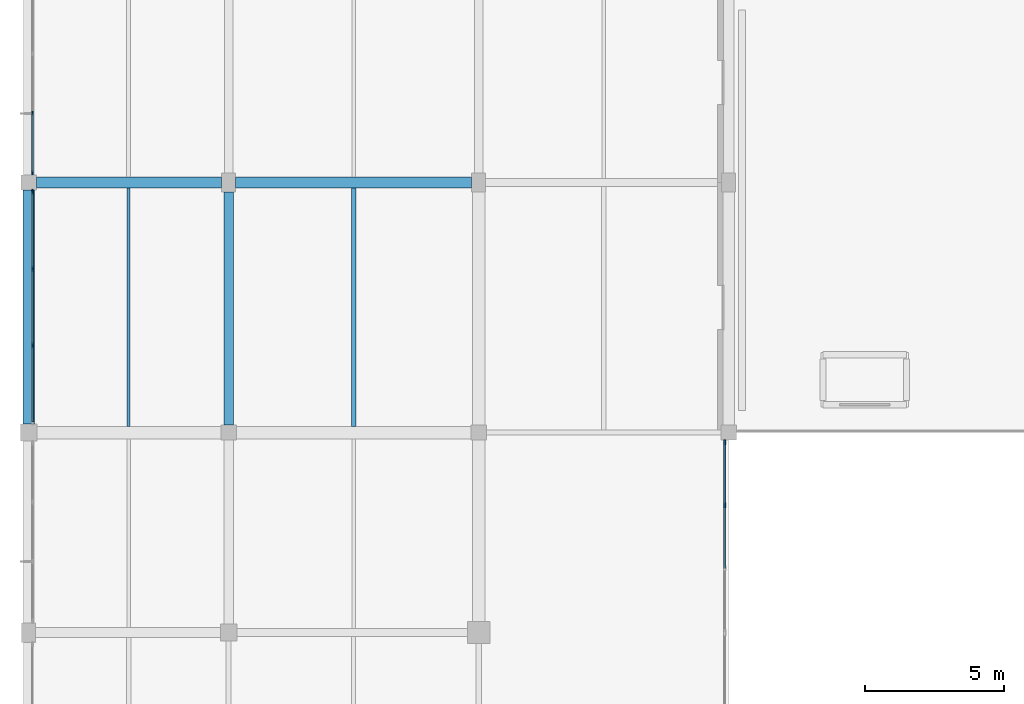
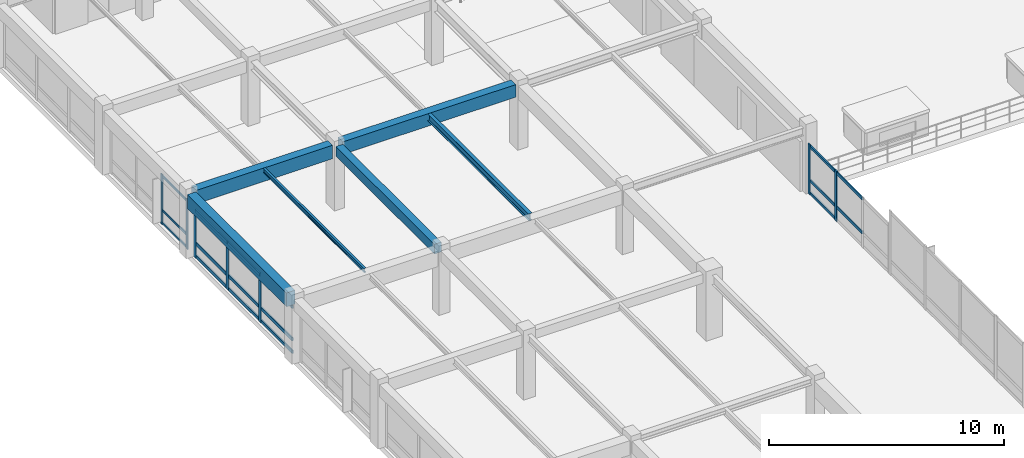
# One storey, part 11 of 74: 24 members, 6 beams, 3 elements without a shape of their own.
"""IFC4 building model written with IfcOpenShell, lengths in metres."""

import ifcopenshell
import ifcopenshell.guid

model = None  # the IFC model being written
_history = None  # IfcOwnerHistory: only IFC2X3 demands one
_inside = {}  # id of a spatial element -> (the spatial element, [elements in it])
_under = {}  # id of a project, library or spatial element -> (it, [spatial elements below it])
_declared = {}  # id of a project -> (the project, [libraries it declares])
_typed = {}  # id of a type object -> (the type object, [elements of that type])
_made_of = {}  # id of a material, layer set ... -> (it, [elements and type objects made of it])


def new_model(schema):
    """Start an empty IFC model of exactly this schema.

    Asked for "IFC4X3", IfcOpenShell would pick the latest addendum, in which some entities
    have other attributes; the version numbers below select the first issue.
    IFC2X3 requires an IfcOwnerHistory on every rooted entity: one is made here for all.
    """
    global model, _history
    if schema == "IFC4X3":
        model = ifcopenshell.file(schema_version=(4, 3, 0, 0))
    else:
        model = ifcopenshell.file(schema=schema)
    _inside.clear()
    _under.clear()
    _declared.clear()
    _typed.clear()
    _made_of.clear()
    _history = None
    if model.schema == "IFC2X3":
        org = make("IfcOrganization", Name="unknown")
        user = make(
            "IfcPersonAndOrganization",
            ThePerson=make("IfcPerson", FamilyName="unknown"),
            TheOrganization=org,
        )
        app = make(
            "IfcApplication",
            ApplicationDeveloper=org,
            Version="unknown",
            ApplicationFullName="unknown",
            ApplicationIdentifier="unknown",
        )
        _history = make(
            "IfcOwnerHistory",
            OwningUser=user,
            OwningApplication=app,
            ChangeAction="ADDED",
            CreationDate=0,
        )
    return model


def make(cls, **values):
    """One entity of the class cls with the attributes given. An attribute that is None is left unset."""
    return model.create_entity(
        cls, **{name: value for name, value in values.items() if value is not None}
    )


def rooted(cls, **values):
    """An entity with a GlobalId (a new one), such as an element, a storey or a relation."""
    return make(cls, GlobalId=ifcopenshell.guid.new(), OwnerHistory=_history, **values)


def si_unit(unit_type, name, prefix=None):
    """IfcSIUnit, for example si_unit("LENGTHUNIT", "METRE", prefix="MILLI")."""
    return make("IfcSIUnit", UnitType=unit_type, Prefix=prefix, Name=name)


def assignment(units):
    """IfcUnitAssignment: the units of a project."""
    return None if units is None else make("IfcUnitAssignment", Units=units)


def point(xyz):
    """IfcCartesianPoint."""
    return None if xyz is None else make("IfcCartesianPoint", Coordinates=xyz)


def direction(xyz):
    """IfcDirection."""
    return None if xyz is None else make("IfcDirection", DirectionRatios=xyz)


def frame(location, z_axis=None, x_axis=None):
    """IfcAxis2Placement3D, a coordinate frame: its origin and axes. An axis left out is left unset."""
    return make(
        "IfcAxis2Placement3D",
        Location=point(location),
        Axis=direction(z_axis),
        RefDirection=direction(x_axis),
    )


def frame_2d(location, x_axis=None):
    """IfcAxis2Placement2D, a coordinate frame in the plane: its origin and x axis."""
    return make(
        "IfcAxis2Placement2D", Location=point(location), RefDirection=direction(x_axis)
    )


def origin():
    """The frame at (0, 0, 0) with its axes left unset."""
    return frame((0.0, 0.0, 0.0))


def origin_2d():
    """The frame at (0, 0) in the plane with its x axis left unset."""
    return frame_2d((0.0, 0.0))


def place(relative_to, where):
    """IfcLocalPlacement: puts the frame where relative to a parent placement (None: the world)."""
    return make(
        "IfcLocalPlacement", PlacementRelTo=relative_to, RelativePlacement=where
    )


def context(
    kind, dimensions, precision=None, world=None, true_north=None, identifier=None
):
    """IfcGeometricRepresentationContext, for example the 3D "Model" context."""
    return make(
        "IfcGeometricRepresentationContext",
        ContextIdentifier=identifier,
        ContextType=kind,
        CoordinateSpaceDimension=dimensions,
        Precision=precision,
        WorldCoordinateSystem=world,
        TrueNorth=true_north,
    )


def subcontext(parent, identifier, kind, view, scale=None):
    """IfcGeometricRepresentationSubContext, for example "Body" below "Model"."""
    return make(
        "IfcGeometricRepresentationSubContext",
        ContextIdentifier=identifier,
        ContextType=kind,
        ParentContext=parent,
        TargetScale=scale,
        TargetView=view,
    )


def project(units=None, contexts=None):
    """IfcProject with its units and contexts."""
    return rooted(
        "IfcProject",
        Name="project",
        RepresentationContexts=contexts,
        UnitsInContext=assignment(units),
    )


def spatial(cls, under=None, at=None, **own):
    """A site, building, storey or space (cls), placed at a placement, below another one or the project."""
    s = rooted(cls, ObjectPlacement=at, **own)
    if under is not None:
        _under.setdefault(under.id(), (under, []))[1].append(s)
    return s


def profile(cls, at=None, kind="AREA", **sizes):
    """A parametric profile (cls). Its sizes go by their IFC names, for example OverallWidth=200.0."""
    return make(cls, ProfileType=kind, Position=at, **sizes)


def rectangle(**sizes):
    """IfcRectangleProfileDef."""
    return profile("IfcRectangleProfileDef", **sizes)


def i_section(**sizes):
    """IfcIShapeProfileDef."""
    return profile("IfcIShapeProfileDef", **sizes)


def extrude(swept, where, along, depth):
    """IfcExtrudedAreaSolid: the profile swept, set in the frame where, extruded along a direction by depth."""
    return make(
        "IfcExtrudedAreaSolid",
        SweptArea=swept,
        Position=where,
        ExtrudedDirection=direction(along),
        Depth=depth,
    )


def shape(context_of_items, identifier, shape_type, items):
    """IfcShapeRepresentation: the items that make up one representation, for example the "Body"."""
    return make(
        "IfcShapeRepresentation",
        ContextOfItems=context_of_items,
        RepresentationIdentifier=identifier,
        RepresentationType=shape_type,
        Items=items,
    )


def material(Name=None, Category=None):
    """IfcMaterial."""
    return make("IfcMaterial", Name=Name, Category=Category)


def material_profile(
    of_material, cross_section, Name=None, Category=None, Priority=None
):
    """IfcMaterialProfile: a cross section and its material."""
    return make(
        "IfcMaterialProfile",
        Name=Name,
        Material=of_material,
        Profile=cross_section,
        Priority=Priority,
        Category=Category,
    )


def profile_set(profiles, Name=None, composite=None):
    """IfcMaterialProfileSet."""
    return make(
        "IfcMaterialProfileSet",
        Name=Name,
        MaterialProfiles=profiles,
        CompositeProfile=composite,
    )


def made_of(thing, what):
    """Note that an element or type object is made of a material, layer set ...; save() writes the relation."""
    if what is not None:
        _made_of.setdefault(what.id(), (what, []))[1].append(thing)
    return thing


def type_object(cls, material=None, **own):
    """A type object (cls), such as IfcWallType, which elements share."""
    return made_of(rooted(cls, **own), material)


def element(
    cls,
    number,
    at=None,
    inside=None,
    cuts=None,
    type_object=None,
    material=None,
    context=None,
    identifier="Body",
    shape_type=None,
    held_by="IfcProductDefinitionShape",
    body=None,
    shapes=None,
    **own,
):
    """One element of the class cls, such as IfcWall. Its Tag is "e" and its number.

    at: its placement. inside: the storey or other place that contains it. cuts: it is an
    opening in that element (IfcRelVoidsElement). A single representation is given by context,
    identifier, shape_type and body (its items); several are given by shapes. held_by: the class
    of the entity that holds the representations. save() writes the other relations.
    """
    e = rooted(cls, Tag="e%d" % number, ObjectPlacement=at, **own)
    if body is not None:
        shapes = [shape(context, identifier, shape_type, body)]
    if shapes is not None:
        e.Representation = make(held_by, Representations=shapes)
    if inside is not None:
        _inside.setdefault(inside.id(), (inside, []))[1].append(e)
    if cuts is not None:
        rooted(
            "IfcRelVoidsElement", RelatingBuildingElement=cuts, RelatedOpeningElement=e
        )
    if type_object is not None:
        _typed.setdefault(type_object.id(), (type_object, []))[1].append(e)
    return made_of(e, material)


def aggregate(whole, parts):
    """IfcRelAggregates: a whole, such as a stair, and the parts it consists of."""
    return rooted("IfcRelAggregates", RelatingObject=whole, RelatedObjects=parts)


def save(model, path):
    """Write the relations noted so far, then the file.

    IfcRelAggregates (storeys below a building ...), IfcRelContainedInSpatialStructure (elements
    in a storey), IfcRelDefinesByType, IfcRelAssociatesMaterial and IfcRelDeclares: one each for
    every whole, place, type object, material and project.
    """
    for whole, parts in _under.values():
        aggregate(whole, parts)
    for where, things in _inside.values():
        rooted(
            "IfcRelContainedInSpatialStructure",
            RelatedElements=things,
            RelatingStructure=where,
        )
    for kind, things in _typed.values():
        rooted("IfcRelDefinesByType", RelatedObjects=things, RelatingType=kind)
    for what, things in _made_of.values():
        rooted("IfcRelAssociatesMaterial", RelatedObjects=things, RelatingMaterial=what)
    for by, libraries in _declared.values():
        rooted("IfcRelDeclares", RelatingContext=by, RelatedDefinitions=libraries)
    model.write(path)


model = new_model("IFC4")

# Units and contexts
model_context = context("Model", 3, precision=1e-05, world=origin(), true_north=direction((0.0, 1.0)))
body_context = subcontext(model_context, "Body", "Model", "MODEL_VIEW")
ifc_project = project(units=[si_unit("LENGTHUNIT", "METRE"), si_unit("AREAUNIT", "SQUARE_METRE"), si_unit("VOLUMEUNIT", "CUBIC_METRE"), si_unit("PLANEANGLEUNIT", "RADIAN"), si_unit("MASSUNIT", "GRAM", prefix="KILO")], contexts=[model_context])

# Site, building, storey
site_placement = place(None, origin())
site = spatial("IfcSite", under=ifc_project, at=site_placement, CompositionType="ELEMENT")
building_placement = place(site_placement, origin())
building = spatial("IfcBuilding", under=site, at=building_placement, Name="Clarverna Civic Hall", CompositionType="ELEMENT")
storey_placement = place(building_placement, frame((0.0, 0.0, 9.60009765625)))
storey = spatial("IfcBuildingStorey", under=building, at=storey_placement, Name="L02", CompositionType="ELEMENT", Elevation=9.60009765625)

# Beams
ifc_material_1 = material(Name="Concrete C35/45", Category="concrete")
ifc_material_profile_1 = material_profile(ifc_material_1, rectangle(XDim=0.35009765625, YDim=0.5, at=origin_2d()), Name="RC 350x500")
ifc_profile_set_1 = profile_set([ifc_material_profile_1], Name="Concrete C35/45")
beam_type_1 = type_object("IfcBeamType", Name="B-RC10", PredefinedType="BEAM", material=ifc_profile_set_1)
beam_1_placement = place(storey_placement, frame((7.199951171875, 46.675048828125, 3.06982421875), z_axis=(0.0, 1.0, 0.0), x_axis=(-1.0, 0.0, 0.0)))
element("IfcBeam", 1, at=beam_1_placement, inside=storey, type_object=beam_type_1, Name="B-RC10-028", PredefinedType="BEAM", context=body_context, shape_type="SweptSolid", body=[
    extrude(rectangle(XDim=0.35009765625, YDim=0.5, at=origin_2d()), origin(), (0.0, 0.0, 1.0), 8.375),
])
ifc_material_profile_2 = material_profile(ifc_material_1, rectangle(XDim=0.39990234375, YDim=0.699951171875, at=origin_2d()), Name="RC 400x700")
ifc_profile_set_2 = profile_set([ifc_material_profile_2], Name="Concrete C35/45")
beam_type_2 = type_object("IfcBeamType", Name="B-RC5", PredefinedType="BEAM", material=ifc_profile_set_2)
beam_2_placement = place(storey_placement, frame((0.27490234375, 55.39990234375, 2.969970703125), z_axis=(1.0, 0.0, 0.0), x_axis=(0.0, 1.0, 0.0)))
element("IfcBeam", 2, at=beam_2_placement, inside=storey, type_object=beam_type_2, Name="B-RC5-028", PredefinedType="BEAM", context=body_context, shape_type="SweptSolid", body=[
    extrude(rectangle(XDim=0.39990234375, YDim=0.699951171875, at=origin_2d()), origin(), (0.0, 0.0, 1.0), 6.675048828125),
])
ifc_material_profile_3 = material_profile(ifc_material_1, rectangle(XDim=0.39990234375, YDim=0.64990234375, at=origin_2d()), Name="RC 400x650")
ifc_profile_set_3 = profile_set([ifc_material_profile_3], Name="Concrete C35/45")
beam_type_3 = type_object("IfcBeamType", Name="B-RC6", PredefinedType="BEAM", material=ifc_profile_set_3)
beam_3_placement = place(storey_placement, frame((7.449951171875, 55.39990234375, 2.994873046875), z_axis=(1.0, 0.0, 0.0), x_axis=(0.0, 1.0, 0.0)))
element("IfcBeam", 3, at=beam_3_placement, inside=storey, type_object=beam_type_3, Name="B-RC6-035", PredefinedType="BEAM", context=body_context, shape_type="SweptSolid", body=[
    extrude(rectangle(XDim=0.39990234375, YDim=0.64990234375, at=origin_2d()), origin(), (0.0, 0.0, 1.0), 8.5),
])
ifc_material_profile_4 = material_profile(ifc_material_1, rectangle(XDim=0.419921875, YDim=0.719970703125, at=origin_2d()), Name="RC 420x720")
ifc_profile_set_4 = profile_set([ifc_material_profile_4], Name="Concrete C35/45")
beam_type_4 = type_object("IfcBeamType", Name="B-SP1", PredefinedType="SPANDREL", material=ifc_profile_set_4)
beam_4_placement = place(storey_placement, frame((0.0, 46.699951171875, 2.9599609375), z_axis=(0.0, 1.0, 0.0), x_axis=(-1.0, 0.0, 0.0)))
element("IfcBeam", 4, at=beam_4_placement, inside=storey, type_object=beam_type_4, Name="B-SP1-094", PredefinedType="SPANDREL", context=body_context, shape_type="SweptSolid", body=[
    extrude(rectangle(XDim=0.419921875, YDim=0.719970703125, at=origin_2d()), origin(), (0.0, 0.0, 1.0), 8.425048828125),
])

# Curtain wall, members
ifc_material_2 = material(Name="Anodised Bronze Architectural Aluminium", Category="aluminium")
curtain_wall_type = type_object("IfcCurtainWallType", Name="CW-01", PredefinedType="USERDEFINED", material=ifc_material_2)
curtain_wall_1_placement = place(storey_placement, origin())
curtain_wall_1 = element("IfcCurtainWall", 5, at=curtain_wall_1_placement, inside=storey, type_object=curtain_wall_type, Name="CW-01-054", ObjectType="UNITISED CURTAIN WALL", PredefinedType="USERDEFINED")
ifc_material_profile_5 = material_profile(ifc_material_2, rectangle(XDim=0.06005859375, YDim=0.179931640625, at=origin_2d()), Name="BRONZE 60x180")
ifc_profile_set_5 = profile_set([ifc_material_profile_5], Name="Anodised Bronze Architectural Aluminium")
member_type_1 = type_object("IfcMemberType", Name="CWM-01", PredefinedType="MULLION", material=ifc_profile_set_5)
member_1_placement = place(storey_placement, frame((25.06005859375, 46.052001953125, 0.0), z_axis=(0.0, 0.0, 1.0), x_axis=(1.0, 0.0, 0.0)))
member_1 = element("IfcMember", 6, at=member_1_placement, type_object=member_type_1, Name="CWM-01-105", PredefinedType="MULLION", context=body_context, shape_type="SweptSolid", body=[
    extrude(rectangle(XDim=0.06005859375, YDim=0.179931640625, at=origin_2d()), origin(), (0.0, 0.0, 1.0), 2.599853515625),
])
member_2_placement = place(storey_placement, frame((25.06005859375, 43.779052734375, 0.0), z_axis=(0.0, 0.0, 1.0), x_axis=(1.0, 0.0, 0.0)))
member_2 = element("IfcMember", 7, at=member_2_placement, type_object=member_type_1, Name="CWM-01-106", PredefinedType="MULLION", context=body_context, shape_type="SweptSolid", body=[
    extrude(rectangle(XDim=0.06005859375, YDim=0.179931640625, at=origin_2d()), origin(), (0.0, 0.0, 1.0), 2.599853515625),
])

curtain_wall_2_placement = place(storey_placement, origin())
curtain_wall_2 = element("IfcCurtainWall", 8, at=curtain_wall_2_placement, inside=storey, type_object=curtain_wall_type, Name="CW-01-021", ObjectType="UNITISED CURTAIN WALL", PredefinedType="USERDEFINED")
ifc_material_profile_6 = material_profile(ifc_material_2, rectangle(XDim=0.06494140625, YDim=0.199951171875, at=origin_2d()), Name="BRONZE 65x200")
ifc_profile_set_6 = profile_set([ifc_material_profile_6], Name="Anodised Bronze Architectural Aluminium")
member_type_2 = type_object("IfcMemberType", Name="CWM-03", PredefinedType="MULLION", material=ifc_profile_set_6)
member_3_placement = place(storey_placement, frame((0.139892578125, 49.53271484375, 0.0), z_axis=(0.0, 0.0, 1.0), x_axis=(1.0, 0.0, 0.0)))
member_3 = element("IfcMember", 9, at=member_3_placement, type_object=member_type_2, Name="CWM-03-072", PredefinedType="MULLION", context=body_context, shape_type="SweptSolid", body=[
    extrude(rectangle(XDim=0.06494140625, YDim=0.199951171875, at=origin_2d()), origin(), (0.0, 0.0, 1.0), 2.52001953125),
])
member_4_placement = place(storey_placement, frame((0.139892578125, 52.292236328125, 0.0), z_axis=(0.0, 0.0, 1.0), x_axis=(1.0, 0.0, 0.0)))
member_4 = element("IfcMember", 10, at=member_4_placement, type_object=member_type_2, Name="CWM-03-073", PredefinedType="MULLION", context=body_context, shape_type="SweptSolid", body=[
    extrude(rectangle(XDim=0.06494140625, YDim=0.199951171875, at=origin_2d()), origin(), (0.0, 0.0, 1.0), 2.52001953125),
])
member_5_placement = place(storey_placement, frame((0.139892578125, 55.052001953125, 0.0), z_axis=(0.0, 0.0, 1.0), x_axis=(1.0, 0.0, 0.0)))
member_5 = element("IfcMember", 11, at=member_5_placement, type_object=member_type_2, Name="CWM-03-074", PredefinedType="MULLION", context=body_context, shape_type="SweptSolid", body=[
    extrude(rectangle(XDim=0.06494140625, YDim=0.199951171875, at=origin_2d()), origin(), (0.0, 0.0, 1.0), 2.52001953125),
])

curtain_wall_3_placement = place(storey_placement, origin())
curtain_wall_3 = element("IfcCurtainWall", 12, at=curtain_wall_3_placement, inside=storey, type_object=curtain_wall_type, Name="CW-01-022", ObjectType="UNITISED CURTAIN WALL", PredefinedType="USERDEFINED")
ifc_material_profile_7 = material_profile(ifc_material_2, rectangle(XDim=0.054931640625, YDim=0.139892578125, at=origin_2d()), Name="BRONZE 55x140")
ifc_profile_set_7 = profile_set([ifc_material_profile_7], Name="Anodised Bronze Architectural Aluminium")
member_type_3 = type_object("IfcMemberType", Name="CWM-04", PredefinedType="MULLION", material=ifc_profile_set_7)
member_6_placement = place(storey_placement, frame((0.139892578125, 55.748046875, 0.0), z_axis=(0.0, 0.0, 1.0), x_axis=(1.0, 0.0, 0.0)))
member_6 = element("IfcMember", 13, at=member_6_placement, type_object=member_type_3, Name="CWM-04-085", PredefinedType="MULLION", context=body_context, shape_type="SweptSolid", body=[
    extrude(rectangle(XDim=0.054931640625, YDim=0.139892578125, at=origin_2d()), origin(), (0.0, 0.0, 1.0), 2.599853515625),
])
member_7_placement = place(storey_placement, frame((0.139892578125, 57.89111328125, 0.0), z_axis=(0.0, 0.0, 1.0), x_axis=(1.0, 0.0, 0.0)))
member_7 = element("IfcMember", 14, at=member_7_placement, type_object=member_type_3, Name="CWM-04-086", PredefinedType="MULLION", context=body_context, shape_type="SweptSolid", body=[
    extrude(rectangle(XDim=0.054931640625, YDim=0.139892578125, at=origin_2d()), origin(), (0.0, 0.0, 1.0), 2.599853515625),
])

# Member
ifc_material_profile_8 = material_profile(ifc_material_2, rectangle(XDim=0.06005859375, YDim=0.14990234375, at=origin_2d()), Name="BRONZE 60x150")
ifc_profile_set_8 = profile_set([ifc_material_profile_8], Name="Anodised Bronze Architectural Aluminium")
member_type_4 = type_object("IfcMemberType", Name="CWT-01", PredefinedType="USERDEFINED", material=ifc_profile_set_8)
member_8_placement = place(storey_placement, frame((25.06005859375, 46.037109375, 0.094970703125), z_axis=(0.0, -1.0, 0.0), x_axis=(1.0, 0.0, 0.0)))
member_8 = element("IfcMember", 15, at=member_8_placement, type_object=member_type_4, Name="CWT-01-220", ObjectType="TRANSOM", PredefinedType="USERDEFINED", context=body_context, shape_type="SweptSolid", body=[
    extrude(rectangle(XDim=0.06005859375, YDim=0.14990234375, at=origin_2d()), origin(), (0.0, 0.0, 1.0), 2.2431640625),
])

member_9_placement = place(storey_placement, frame((25.06005859375, 46.037109375, 0.75), z_axis=(0.0, -1.0, 0.0), x_axis=(1.0, 0.0, 0.0)))
member_9 = element("IfcMember", 16, at=member_9_placement, type_object=member_type_4, Name="CWT-01-221", ObjectType="TRANSOM", PredefinedType="USERDEFINED", context=body_context, shape_type="SweptSolid", body=[
    extrude(rectangle(XDim=0.06005859375, YDim=0.14990234375, at=origin_2d()), origin(), (0.0, 0.0, 1.0), 2.2431640625),
])

member_10_placement = place(storey_placement, frame((25.06005859375, 46.037109375, 2.5048828125), z_axis=(0.0, -1.0, 0.0), x_axis=(1.0, 0.0, 0.0)))
member_10 = element("IfcMember", 17, at=member_10_placement, type_object=member_type_4, Name="CWT-01-222", ObjectType="TRANSOM", PredefinedType="USERDEFINED", context=body_context, shape_type="SweptSolid", body=[
    extrude(rectangle(XDim=0.06005859375, YDim=0.14990234375, at=origin_2d()), origin(), (0.0, 0.0, 1.0), 2.2431640625),
])

member_11_placement = place(storey_placement, frame((25.06005859375, 43.763916015625, 0.75), z_axis=(0.0, -1.0, 0.0), x_axis=(1.0, 0.0, 0.0)))
member_11 = element("IfcMember", 18, at=member_11_placement, type_object=member_type_4, Name="CWT-01-224", ObjectType="TRANSOM", PredefinedType="USERDEFINED", context=body_context, shape_type="SweptSolid", body=[
    extrude(rectangle(XDim=0.06005859375, YDim=0.14990234375, at=origin_2d()), origin(), (0.0, 0.0, 1.0), 2.242919921875),
])

member_12_placement = place(storey_placement, frame((25.06005859375, 43.763916015625, 2.5048828125), z_axis=(0.0, -1.0, 0.0), x_axis=(1.0, 0.0, 0.0)))
member_12 = element("IfcMember", 19, at=member_12_placement, type_object=member_type_4, Name="CWT-01-225", ObjectType="TRANSOM", PredefinedType="USERDEFINED", context=body_context, shape_type="SweptSolid", body=[
    extrude(rectangle(XDim=0.06005859375, YDim=0.14990234375, at=origin_2d()), origin(), (0.0, 0.0, 1.0), 2.242919921875),
])

aggregate(curtain_wall_1, [member_1, member_2, member_8, member_9, member_10, member_11, member_12])

ifc_material_profile_9 = material_profile(ifc_material_2, rectangle(XDim=0.06494140625, YDim=0.169921875, at=origin_2d()), Name="BRONZE 65x170")
ifc_profile_set_9 = profile_set([ifc_material_profile_9], Name="Anodised Bronze Architectural Aluminium")
member_type_5 = type_object("IfcMemberType", Name="CWT-03", PredefinedType="USERDEFINED", material=ifc_profile_set_9)
member_13_placement = place(storey_placement, frame((0.139892578125, 46.7880859375, 0.094970703125), z_axis=(0.0, 1.0, 0.0), x_axis=(-1.0, 0.0, 0.0)))
member_13 = element("IfcMember", 20, at=member_13_placement, type_object=member_type_5, Name="CWT-03-148", ObjectType="TRANSOM", PredefinedType="USERDEFINED", context=body_context, shape_type="SweptSolid", body=[
    extrude(rectangle(XDim=0.06494140625, YDim=0.169921875, at=origin_2d()), origin(), (0.0, 0.0, 1.0), 2.7294921875),
])

member_14_placement = place(storey_placement, frame((0.139892578125, 46.7880859375, 0.75), z_axis=(0.0, 1.0, 0.0), x_axis=(-1.0, 0.0, 0.0)))
member_14 = element("IfcMember", 21, at=member_14_placement, type_object=member_type_5, Name="CWT-03-149", ObjectType="TRANSOM", PredefinedType="USERDEFINED", context=body_context, shape_type="SweptSolid", body=[
    extrude(rectangle(XDim=0.06494140625, YDim=0.169921875, at=origin_2d()), origin(), (0.0, 0.0, 1.0), 2.7294921875),
])

member_15_placement = place(storey_placement, frame((0.139892578125, 46.7880859375, 2.4248046875), z_axis=(0.0, 1.0, 0.0), x_axis=(-1.0, 0.0, 0.0)))
member_15 = element("IfcMember", 22, at=member_15_placement, type_object=member_type_5, Name="CWT-03-150", ObjectType="TRANSOM", PredefinedType="USERDEFINED", context=body_context, shape_type="SweptSolid", body=[
    extrude(rectangle(XDim=0.06494140625, YDim=0.169921875, at=origin_2d()), origin(), (0.0, 0.0, 1.0), 2.7294921875),
])

member_16_placement = place(storey_placement, frame((0.139892578125, 49.547607421875, 0.094970703125), z_axis=(0.0, 1.0, 0.0), x_axis=(-1.0, 0.0, 0.0)))
member_16 = element("IfcMember", 23, at=member_16_placement, type_object=member_type_5, Name="CWT-03-151", ObjectType="TRANSOM", PredefinedType="USERDEFINED", context=body_context, shape_type="SweptSolid", body=[
    extrude(rectangle(XDim=0.06494140625, YDim=0.169921875, at=origin_2d()), origin(), (0.0, 0.0, 1.0), 2.729736328125),
])

member_17_placement = place(storey_placement, frame((0.139892578125, 49.547607421875, 0.75), z_axis=(0.0, 1.0, 0.0), x_axis=(-1.0, 0.0, 0.0)))
member_17 = element("IfcMember", 24, at=member_17_placement, type_object=member_type_5, Name="CWT-03-152", ObjectType="TRANSOM", PredefinedType="USERDEFINED", context=body_context, shape_type="SweptSolid", body=[
    extrude(rectangle(XDim=0.06494140625, YDim=0.169921875, at=origin_2d()), origin(), (0.0, 0.0, 1.0), 2.729736328125),
])

member_18_placement = place(storey_placement, frame((0.139892578125, 49.547607421875, 2.4248046875), z_axis=(0.0, 1.0, 0.0), x_axis=(-1.0, 0.0, 0.0)))
member_18 = element("IfcMember", 25, at=member_18_placement, type_object=member_type_5, Name="CWT-03-153", ObjectType="TRANSOM", PredefinedType="USERDEFINED", context=body_context, shape_type="SweptSolid", body=[
    extrude(rectangle(XDim=0.06494140625, YDim=0.169921875, at=origin_2d()), origin(), (0.0, 0.0, 1.0), 2.729736328125),
])

member_19_placement = place(storey_placement, frame((0.139892578125, 52.307373046875, 0.094970703125), z_axis=(0.0, 1.0, 0.0), x_axis=(-1.0, 0.0, 0.0)))
member_19 = element("IfcMember", 26, at=member_19_placement, type_object=member_type_5, Name="CWT-03-154", ObjectType="TRANSOM", PredefinedType="USERDEFINED", context=body_context, shape_type="SweptSolid", body=[
    extrude(rectangle(XDim=0.06494140625, YDim=0.169921875, at=origin_2d()), origin(), (0.0, 0.0, 1.0), 2.729736328125),
])

member_20_placement = place(storey_placement, frame((0.139892578125, 52.307373046875, 0.75), z_axis=(0.0, 1.0, 0.0), x_axis=(-1.0, 0.0, 0.0)))
member_20 = element("IfcMember", 27, at=member_20_placement, type_object=member_type_5, Name="CWT-03-155", ObjectType="TRANSOM", PredefinedType="USERDEFINED", context=body_context, shape_type="SweptSolid", body=[
    extrude(rectangle(XDim=0.06494140625, YDim=0.169921875, at=origin_2d()), origin(), (0.0, 0.0, 1.0), 2.729736328125),
])

member_21_placement = place(storey_placement, frame((0.139892578125, 52.307373046875, 2.4248046875), z_axis=(0.0, 1.0, 0.0), x_axis=(-1.0, 0.0, 0.0)))
member_21 = element("IfcMember", 28, at=member_21_placement, type_object=member_type_5, Name="CWT-03-156", ObjectType="TRANSOM", PredefinedType="USERDEFINED", context=body_context, shape_type="SweptSolid", body=[
    extrude(rectangle(XDim=0.06494140625, YDim=0.169921875, at=origin_2d()), origin(), (0.0, 0.0, 1.0), 2.729736328125),
])

aggregate(curtain_wall_2, [member_3, member_4, member_5, member_13, member_14, member_15, member_16, member_17, member_18, member_19, member_20, member_21])

ifc_material_profile_10 = material_profile(ifc_material_2, rectangle(XDim=0.054931640625, YDim=0.110107421875, at=origin_2d()), Name="BRONZE 55x110")
ifc_profile_set_10 = profile_set([ifc_material_profile_10], Name="Anodised Bronze Architectural Aluminium")
member_type_6 = type_object("IfcMemberType", Name="CWT-04", PredefinedType="USERDEFINED", material=ifc_profile_set_10)
member_22_placement = place(storey_placement, frame((0.139892578125, 55.762939453125, 0.094970703125), z_axis=(0.0, 1.0, 0.0), x_axis=(-1.0, 0.0, 0.0)))
member_22 = element("IfcMember", 29, at=member_22_placement, type_object=member_type_6, Name="CWT-04-178", ObjectType="TRANSOM", PredefinedType="USERDEFINED", context=body_context, shape_type="SweptSolid", body=[
    extrude(rectangle(XDim=0.054931640625, YDim=0.110107421875, at=origin_2d()), origin(), (0.0, 0.0, 1.0), 2.113037109375),
])

member_23_placement = place(storey_placement, frame((0.139892578125, 55.762939453125, 0.75), z_axis=(0.0, 1.0, 0.0), x_axis=(-1.0, 0.0, 0.0)))
member_23 = element("IfcMember", 30, at=member_23_placement, type_object=member_type_6, Name="CWT-04-179", ObjectType="TRANSOM", PredefinedType="USERDEFINED", context=body_context, shape_type="SweptSolid", body=[
    extrude(rectangle(XDim=0.054931640625, YDim=0.110107421875, at=origin_2d()), origin(), (0.0, 0.0, 1.0), 2.113037109375),
])

member_24_placement = place(storey_placement, frame((0.139892578125, 55.762939453125, 2.5048828125), z_axis=(0.0, 1.0, 0.0), x_axis=(-1.0, 0.0, 0.0)))
member_24 = element("IfcMember", 31, at=member_24_placement, type_object=member_type_6, Name="CWT-04-180", ObjectType="TRANSOM", PredefinedType="USERDEFINED", context=body_context, shape_type="SweptSolid", body=[
    extrude(rectangle(XDim=0.054931640625, YDim=0.110107421875, at=origin_2d()), origin(), (0.0, 0.0, 1.0), 2.113037109375),
])

aggregate(curtain_wall_3, [member_6, member_7, member_22, member_23, member_24])

# Beams
ifc_material_3 = material(Name="Steel S355", Category="steel")
ifc_material_profile_11 = material_profile(ifc_material_3, i_section(OverallWidth=0.169921875, OverallDepth=0.360107421875, WebThickness=0.008056640625, FlangeThickness=0.0126953125, FilletRadius=0.01806640625, at=origin_2d()), Name="IPE 360")
ifc_profile_set_11 = profile_set([ifc_material_profile_11], Name="Steel S355")
beam_type_5 = type_object("IfcBeamType", Name="J-ST1", PredefinedType="JOIST", material=ifc_profile_set_11)
beam_5_placement = place(storey_placement, frame((11.699951171875, 46.625, 3.139892578125), z_axis=(0.0, 1.0, 0.0), x_axis=(-1.0, 0.0, 0.0)))
element("IfcBeam", 32, at=beam_5_placement, inside=storey, type_object=beam_type_5, Name="J-ST1-051", PredefinedType="JOIST", context=body_context, shape_type="SweptSolid", body=[
    extrude(i_section(OverallWidth=0.169921875, OverallDepth=0.360107421875, WebThickness=0.008056640625, FlangeThickness=0.0126953125, FilletRadius=0.01806640625, at=origin_2d()), origin(), (0.0, 0.0, 1.0), 8.574951171875),
])
ifc_material_profile_12 = material_profile(ifc_material_3, i_section(OverallWidth=0.110107421875, OverallDepth=0.219970703125, WebThickness=0.005859375, FlangeThickness=0.00927734375, FilletRadius=0.011962890625, at=origin_2d()), Name="IPE 220")
ifc_profile_set_12 = profile_set([ifc_material_profile_12], Name="Steel S355")
beam_type_6 = type_object("IfcBeamType", Name="J-ST6", PredefinedType="JOIST", material=ifc_profile_set_12)
beam_6_placement = place(storey_placement, frame((3.60009765625, 46.625, 3.2099609375), z_axis=(0.0, 1.0, 0.0), x_axis=(-1.0, 0.0, 0.0)))
element("IfcBeam", 33, at=beam_6_placement, inside=storey, type_object=beam_type_6, Name="J-ST6-051", PredefinedType="JOIST", context=body_context, shape_type="SweptSolid", body=[
    extrude(i_section(OverallWidth=0.110107421875, OverallDepth=0.219970703125, WebThickness=0.005859375, FlangeThickness=0.00927734375, FilletRadius=0.011962890625, at=origin_2d()), origin(), (0.0, 0.0, 1.0), 8.574951171875),
])

save(model, "model.ifc")
